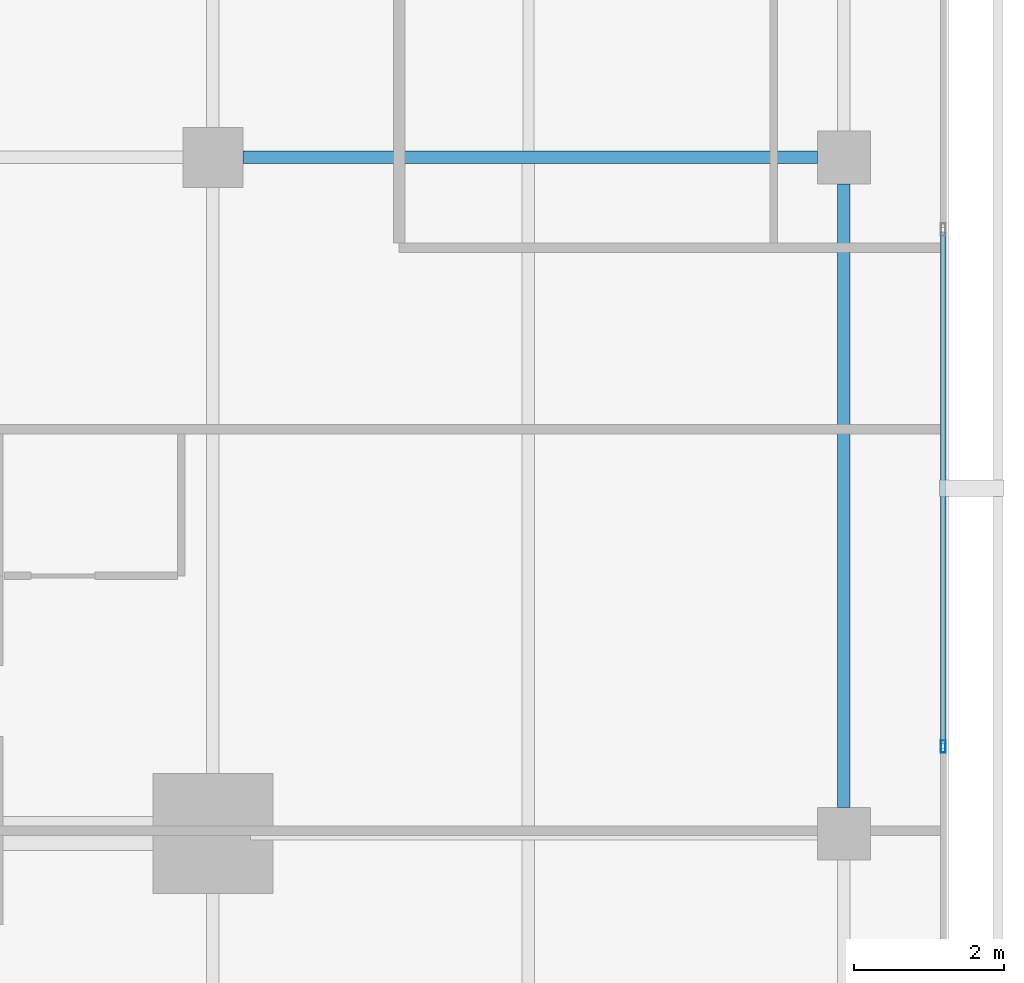
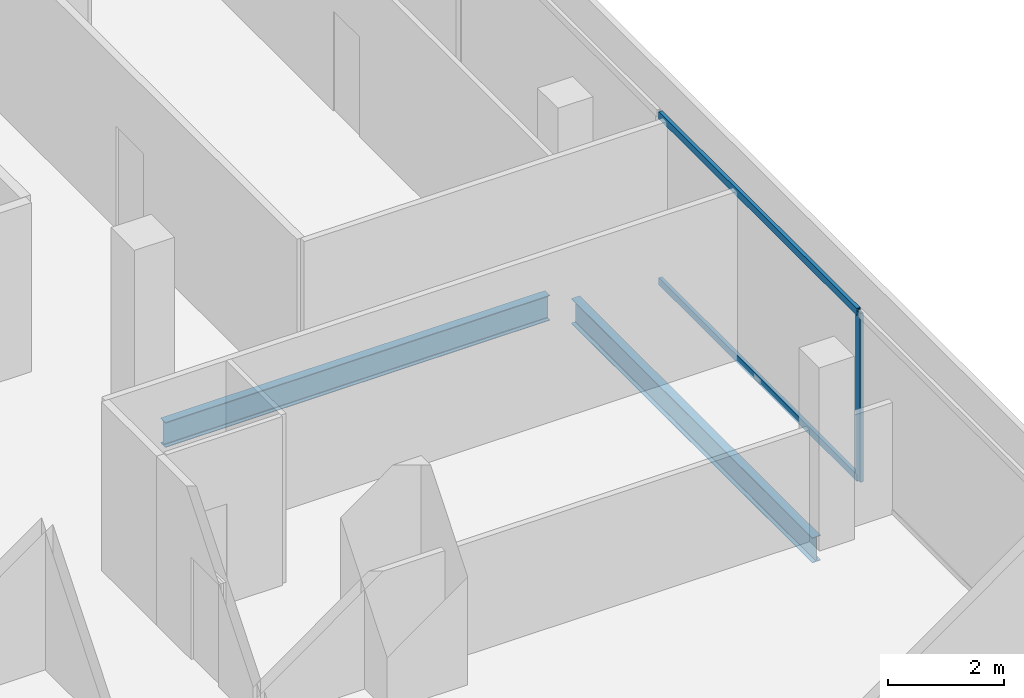
# One storey, part 14 of 26: 3 members, 2 beams, 1 element without a shape of its own.
"""IFC4 building model written with IfcOpenShell, lengths in metres."""

import ifcopenshell
import ifcopenshell.guid

model = None  # the IFC model being written
_history = None  # IfcOwnerHistory: only IFC2X3 demands one
_inside = {}  # id of a spatial element -> (the spatial element, [elements in it])
_under = {}  # id of a project, library or spatial element -> (it, [spatial elements below it])
_declared = {}  # id of a project -> (the project, [libraries it declares])
_typed = {}  # id of a type object -> (the type object, [elements of that type])
_made_of = {}  # id of a material, layer set ... -> (it, [elements and type objects made of it])


def new_model(schema):
    """Start an empty IFC model of exactly this schema.

    Asked for "IFC4X3", IfcOpenShell would pick the latest addendum, in which some entities
    have other attributes; the version numbers below select the first issue.
    IFC2X3 requires an IfcOwnerHistory on every rooted entity: one is made here for all.
    """
    global model, _history
    if schema == "IFC4X3":
        model = ifcopenshell.file(schema_version=(4, 3, 0, 0))
    else:
        model = ifcopenshell.file(schema=schema)
    _inside.clear()
    _under.clear()
    _declared.clear()
    _typed.clear()
    _made_of.clear()
    _history = None
    if model.schema == "IFC2X3":
        org = make("IfcOrganization", Name="unknown")
        user = make(
            "IfcPersonAndOrganization",
            ThePerson=make("IfcPerson", FamilyName="unknown"),
            TheOrganization=org,
        )
        app = make(
            "IfcApplication",
            ApplicationDeveloper=org,
            Version="unknown",
            ApplicationFullName="unknown",
            ApplicationIdentifier="unknown",
        )
        _history = make(
            "IfcOwnerHistory",
            OwningUser=user,
            OwningApplication=app,
            ChangeAction="ADDED",
            CreationDate=0,
        )
    return model


def make(cls, **values):
    """One entity of the class cls with the attributes given. An attribute that is None is left unset."""
    return model.create_entity(
        cls, **{name: value for name, value in values.items() if value is not None}
    )


def rooted(cls, **values):
    """An entity with a GlobalId (a new one), such as an element, a storey or a relation."""
    return make(cls, GlobalId=ifcopenshell.guid.new(), OwnerHistory=_history, **values)


def si_unit(unit_type, name, prefix=None):
    """IfcSIUnit, for example si_unit("LENGTHUNIT", "METRE", prefix="MILLI")."""
    return make("IfcSIUnit", UnitType=unit_type, Prefix=prefix, Name=name)


def assignment(units):
    """IfcUnitAssignment: the units of a project."""
    return None if units is None else make("IfcUnitAssignment", Units=units)


def point(xyz):
    """IfcCartesianPoint."""
    return None if xyz is None else make("IfcCartesianPoint", Coordinates=xyz)


def direction(xyz):
    """IfcDirection."""
    return None if xyz is None else make("IfcDirection", DirectionRatios=xyz)


def frame(location, z_axis=None, x_axis=None):
    """IfcAxis2Placement3D, a coordinate frame: its origin and axes. An axis left out is left unset."""
    return make(
        "IfcAxis2Placement3D",
        Location=point(location),
        Axis=direction(z_axis),
        RefDirection=direction(x_axis),
    )


def frame_2d(location, x_axis=None):
    """IfcAxis2Placement2D, a coordinate frame in the plane: its origin and x axis."""
    return make(
        "IfcAxis2Placement2D", Location=point(location), RefDirection=direction(x_axis)
    )


def origin():
    """The frame at (0, 0, 0) with its axes left unset."""
    return frame((0.0, 0.0, 0.0))


def origin_2d():
    """The frame at (0, 0) in the plane with its x axis left unset."""
    return frame_2d((0.0, 0.0))


def place(relative_to, where):
    """IfcLocalPlacement: puts the frame where relative to a parent placement (None: the world)."""
    return make(
        "IfcLocalPlacement", PlacementRelTo=relative_to, RelativePlacement=where
    )


def context(
    kind, dimensions, precision=None, world=None, true_north=None, identifier=None
):
    """IfcGeometricRepresentationContext, for example the 3D "Model" context."""
    return make(
        "IfcGeometricRepresentationContext",
        ContextIdentifier=identifier,
        ContextType=kind,
        CoordinateSpaceDimension=dimensions,
        Precision=precision,
        WorldCoordinateSystem=world,
        TrueNorth=true_north,
    )


def subcontext(parent, identifier, kind, view, scale=None):
    """IfcGeometricRepresentationSubContext, for example "Body" below "Model"."""
    return make(
        "IfcGeometricRepresentationSubContext",
        ContextIdentifier=identifier,
        ContextType=kind,
        ParentContext=parent,
        TargetScale=scale,
        TargetView=view,
    )


def project(units=None, contexts=None):
    """IfcProject with its units and contexts."""
    return rooted(
        "IfcProject",
        Name="project",
        RepresentationContexts=contexts,
        UnitsInContext=assignment(units),
    )


def spatial(cls, under=None, at=None, **own):
    """A site, building, storey or space (cls), placed at a placement, below another one or the project."""
    s = rooted(cls, ObjectPlacement=at, **own)
    if under is not None:
        _under.setdefault(under.id(), (under, []))[1].append(s)
    return s


def profile(cls, at=None, kind="AREA", **sizes):
    """A parametric profile (cls). Its sizes go by their IFC names, for example OverallWidth=200.0."""
    return make(cls, ProfileType=kind, Position=at, **sizes)


def hollow_rectangle(**sizes):
    """IfcRectangleHollowProfileDef."""
    return profile("IfcRectangleHollowProfileDef", **sizes)


def i_section(**sizes):
    """IfcIShapeProfileDef."""
    return profile("IfcIShapeProfileDef", **sizes)


def extrude(swept, where, along, depth):
    """IfcExtrudedAreaSolid: the profile swept, set in the frame where, extruded along a direction by depth."""
    return make(
        "IfcExtrudedAreaSolid",
        SweptArea=swept,
        Position=where,
        ExtrudedDirection=direction(along),
        Depth=depth,
    )


def shape(context_of_items, identifier, shape_type, items):
    """IfcShapeRepresentation: the items that make up one representation, for example the "Body"."""
    return make(
        "IfcShapeRepresentation",
        ContextOfItems=context_of_items,
        RepresentationIdentifier=identifier,
        RepresentationType=shape_type,
        Items=items,
    )


def material(Name=None, Category=None):
    """IfcMaterial."""
    return make("IfcMaterial", Name=Name, Category=Category)


def layer(
    of_material, thickness, ventilated=None, Name=None, Category=None, Priority=None
):
    """IfcMaterialLayer: one layer of a wall or slab, of a material (None: an air gap)."""
    return make(
        "IfcMaterialLayer",
        Material=of_material,
        LayerThickness=thickness,
        IsVentilated=ventilated,
        Name=Name,
        Category=Category,
        Priority=Priority,
    )


def layer_set(layers, Name=None):
    """IfcMaterialLayerSet."""
    return make("IfcMaterialLayerSet", MaterialLayers=layers, LayerSetName=Name)


def material_profile(
    of_material, cross_section, Name=None, Category=None, Priority=None
):
    """IfcMaterialProfile: a cross section and its material."""
    return make(
        "IfcMaterialProfile",
        Name=Name,
        Material=of_material,
        Profile=cross_section,
        Priority=Priority,
        Category=Category,
    )


def profile_set(profiles, Name=None, composite=None):
    """IfcMaterialProfileSet."""
    return make(
        "IfcMaterialProfileSet",
        Name=Name,
        MaterialProfiles=profiles,
        CompositeProfile=composite,
    )


def made_of(thing, what):
    """Note that an element or type object is made of a material, layer set ...; save() writes the relation."""
    if what is not None:
        _made_of.setdefault(what.id(), (what, []))[1].append(thing)
    return thing


def type_object(cls, material=None, **own):
    """A type object (cls), such as IfcWallType, which elements share."""
    return made_of(rooted(cls, **own), material)


def element(
    cls,
    number,
    at=None,
    inside=None,
    cuts=None,
    type_object=None,
    material=None,
    context=None,
    identifier="Body",
    shape_type=None,
    held_by="IfcProductDefinitionShape",
    body=None,
    shapes=None,
    **own,
):
    """One element of the class cls, such as IfcWall. Its Tag is "e" and its number.

    at: its placement. inside: the storey or other place that contains it. cuts: it is an
    opening in that element (IfcRelVoidsElement). A single representation is given by context,
    identifier, shape_type and body (its items); several are given by shapes. held_by: the class
    of the entity that holds the representations. save() writes the other relations.
    """
    e = rooted(cls, Tag="e%d" % number, ObjectPlacement=at, **own)
    if body is not None:
        shapes = [shape(context, identifier, shape_type, body)]
    if shapes is not None:
        e.Representation = make(held_by, Representations=shapes)
    if inside is not None:
        _inside.setdefault(inside.id(), (inside, []))[1].append(e)
    if cuts is not None:
        rooted(
            "IfcRelVoidsElement", RelatingBuildingElement=cuts, RelatedOpeningElement=e
        )
    if type_object is not None:
        _typed.setdefault(type_object.id(), (type_object, []))[1].append(e)
    return made_of(e, material)


def aggregate(whole, parts):
    """IfcRelAggregates: a whole, such as a stair, and the parts it consists of."""
    return rooted("IfcRelAggregates", RelatingObject=whole, RelatedObjects=parts)


def save(model, path):
    """Write the relations noted so far, then the file.

    IfcRelAggregates (storeys below a building ...), IfcRelContainedInSpatialStructure (elements
    in a storey), IfcRelDefinesByType, IfcRelAssociatesMaterial and IfcRelDeclares: one each for
    every whole, place, type object, material and project.
    """
    for whole, parts in _under.values():
        aggregate(whole, parts)
    for where, things in _inside.values():
        rooted(
            "IfcRelContainedInSpatialStructure",
            RelatedElements=things,
            RelatingStructure=where,
        )
    for kind, things in _typed.values():
        rooted("IfcRelDefinesByType", RelatedObjects=things, RelatingType=kind)
    for what, things in _made_of.values():
        rooted("IfcRelAssociatesMaterial", RelatedObjects=things, RelatingMaterial=what)
    for by, libraries in _declared.values():
        rooted("IfcRelDeclares", RelatingContext=by, RelatedDefinitions=libraries)
    model.write(path)


model = new_model("IFC4")

# Units and contexts
model_context = context("Model", 3, precision=1e-05, world=origin(), true_north=direction((0.0, 1.0)))
body_context = subcontext(model_context, "Body", "Model", "MODEL_VIEW")
ifc_project = project(units=[si_unit("LENGTHUNIT", "METRE"), si_unit("AREAUNIT", "SQUARE_METRE"), si_unit("VOLUMEUNIT", "CUBIC_METRE"), si_unit("PLANEANGLEUNIT", "RADIAN"), si_unit("MASSUNIT", "GRAM", prefix="KILO")], contexts=[model_context])

# Site, building, storey
site_placement = place(None, origin())
site = spatial("IfcSite", under=ifc_project, at=site_placement, CompositionType="ELEMENT")
building_placement = place(site_placement, origin())
building = spatial("IfcBuilding", under=site, at=building_placement, Name="Maruvema Waterfront Hotel and Observation Tower", CompositionType="ELEMENT")
storey_placement = place(building_placement, frame((0.0, 0.0, 312.550048828125)))
storey = spatial("IfcBuildingStorey", under=building, at=storey_placement, Name="L77", CompositionType="ELEMENT", Elevation=312.550048828125)

# Curtain wall, members
ifc_material_1 = material(Name="Anodised bronze aluminium and solar-control low-E IGU", Category="aluminium")
ifc_layer = layer(ifc_material_1, 0.159912109375, Name="Zone 3 Champagne Inner Thermal Curtain Wall System CW-04")
ifc_layer_set = layer_set([ifc_layer], Name="Anodised bronze aluminium and solar-control low-E IGU")
curtain_wall_type = type_object("IfcCurtainWallType", Name="Zone 3 Champagne Inner Thermal Curtain Wall System CW-04", PredefinedType="USERDEFINED", material=ifc_layer_set)
curtain_wall_placement = place(storey_placement, origin())
curtain_wall = element("IfcCurtainWall", 1, at=curtain_wall_placement, inside=storey, type_object=curtain_wall_type, Name="L77 Curtain Wall CW-L77-E", ObjectType="UNITISED CURTAIN WALL", PredefinedType="USERDEFINED")
ifc_material_2 = material(Name="Anodised architectural bronze aluminium", Category="aluminium")
ifc_material_profile_1 = material_profile(ifc_material_2, hollow_rectangle(XDim=0.070068359375, YDim=0.14990234375, WallThickness=0.00390625, at=origin_2d()), Name="ALU-T70x150")
ifc_profile_set_1 = profile_set([ifc_material_profile_1], Name="Anodised architectural bronze aluminium")
member_type_1 = type_object("IfcMemberType", Name="Curtain Wall Horizontal Transom ALU-T70x150", PredefinedType="USERDEFINED", material=ifc_profile_set_1)
member_1_placement = place(storey_placement, frame((60.1201171875, 28.18994140625, 0.030029296875), z_axis=(0.0, 1.0, 0.0), x_axis=(-1.0, 0.0, 0.0)))
member_1 = element("IfcMember", 2, at=member_1_placement, type_object=member_type_1, Name="CW-04 transom 3.1", ObjectType="TRANSOM", PredefinedType="USERDEFINED", context=body_context, shape_type="SweptSolid", body=[
    extrude(hollow_rectangle(XDim=0.070068359375, YDim=0.14990234375, WallThickness=0.00390625, at=origin_2d()), origin(), (0.0, 0.0, 1.0), 6.820068359375),
])
member_2_placement = place(storey_placement, frame((60.1201171875, 28.18994140625, 3.52001953125), z_axis=(0.0, 1.0, 0.0), x_axis=(-1.0, 0.0, 0.0)))
member_2 = element("IfcMember", 3, at=member_2_placement, type_object=member_type_1, Name="CW-04 transom 3.2", ObjectType="TRANSOM", PredefinedType="USERDEFINED", context=body_context, shape_type="SweptSolid", body=[
    extrude(hollow_rectangle(XDim=0.070068359375, YDim=0.14990234375, WallThickness=0.00390625, at=origin_2d()), origin(), (0.0, 0.0, 1.0), 6.820068359375),
])
ifc_material_3 = material(Name="Anodised architectural bronze aluminium", Category="aluminium")
ifc_material_profile_2 = material_profile(ifc_material_3, hollow_rectangle(XDim=0.06494140625, YDim=0.1650390625, WallThickness=0.00390625, at=origin_2d()), Name="ALU-M65x165")
ifc_profile_set_2 = profile_set([ifc_material_profile_2], Name="Anodised architectural bronze aluminium")
member_type_2 = type_object("IfcMemberType", Name="Curtain Wall Primary Mullion ALU-M65x165", PredefinedType="MULLION", material=ifc_profile_set_2)
member_3_placement = place(storey_placement, frame((60.1201171875, 28.159912109375, 0.0), z_axis=(0.0, 0.0, 1.0), x_axis=(-1.0, 0.0, 0.0)))
member_3 = element("IfcMember", 4, at=member_3_placement, type_object=member_type_2, Name="CW-04 mullion 3", PredefinedType="MULLION", context=body_context, shape_type="SweptSolid", body=[
    extrude(hollow_rectangle(XDim=0.06494140625, YDim=0.1650390625, WallThickness=0.00390625, at=origin_2d()), origin(), (0.0, 0.0, 1.0), 3.550048828125),
])
aggregate(curtain_wall, [member_3, member_1, member_2])

# Beams
ifc_material_4 = material(Name="Steel ASTM A572 Grade 50", Category="steel")
ifc_material_profile_3 = material_profile(ifc_material_4, i_section(OverallWidth=0.166015625, OverallDepth=0.529052734375, WebThickness=0.009765625, FlangeThickness=0.013671875, FilletRadius=0.014892578125, at=origin_2d()), Name="W530x74.0")
ifc_profile_set_3 = profile_set([ifc_material_profile_3], Name="Steel ASTM A572 Grade 50")
beam_type = type_object("IfcBeamType", Name="Primary Floor Girder W530x74.0", PredefinedType="BEAM", material=ifc_profile_set_3)
beam_1_placement = place(storey_placement, frame((50.800048828125, 36.0, -0.504638671875), z_axis=(1.0, 0.0, 0.0), x_axis=(0.0, 1.0, 0.0)))
element("IfcBeam", 5, at=beam_1_placement, inside=storey, type_object=beam_type, Name="L77 Floor Girder EW-16", PredefinedType="BEAM", context=body_context, shape_type="SweptSolid", body=[
    extrude(i_section(OverallWidth=0.166015625, OverallDepth=0.529052734375, WebThickness=0.009765625, FlangeThickness=0.013671875, FilletRadius=0.014892578125, at=origin_2d()), origin(), (0.0, 0.0, 1.0), 7.64990234375),
])
beam_2_placement = place(storey_placement, frame((58.800048828125, 27.35009765625, -0.504638671875), z_axis=(0.0, 1.0, 0.0), x_axis=(-1.0, 0.0, 0.0)))
element("IfcBeam", 6, at=beam_2_placement, inside=storey, type_object=beam_type, Name="L77 Floor Girder NS-17", PredefinedType="BEAM", context=body_context, shape_type="SweptSolid", body=[
    extrude(i_section(OverallWidth=0.166015625, OverallDepth=0.529052734375, WebThickness=0.009765625, FlangeThickness=0.013671875, FilletRadius=0.014892578125, at=origin_2d()), origin(), (0.0, 0.0, 1.0), 8.2998046875),
])

save(model, "model.ifc")
